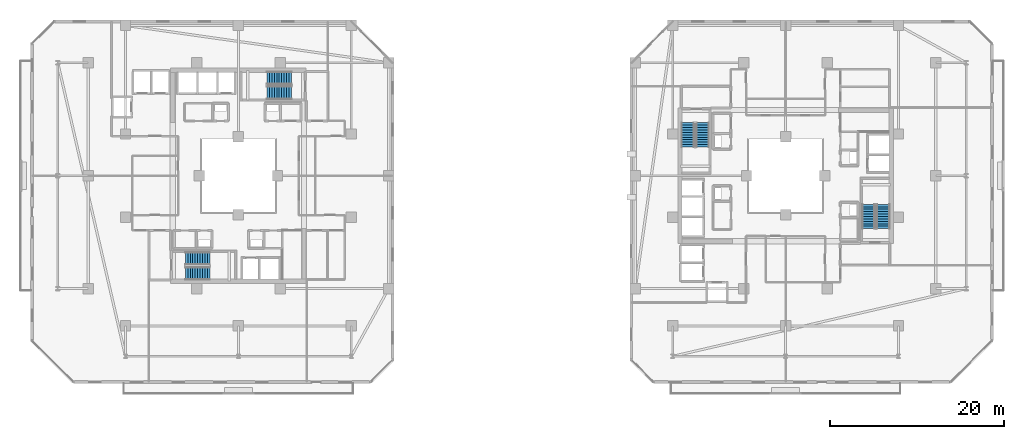
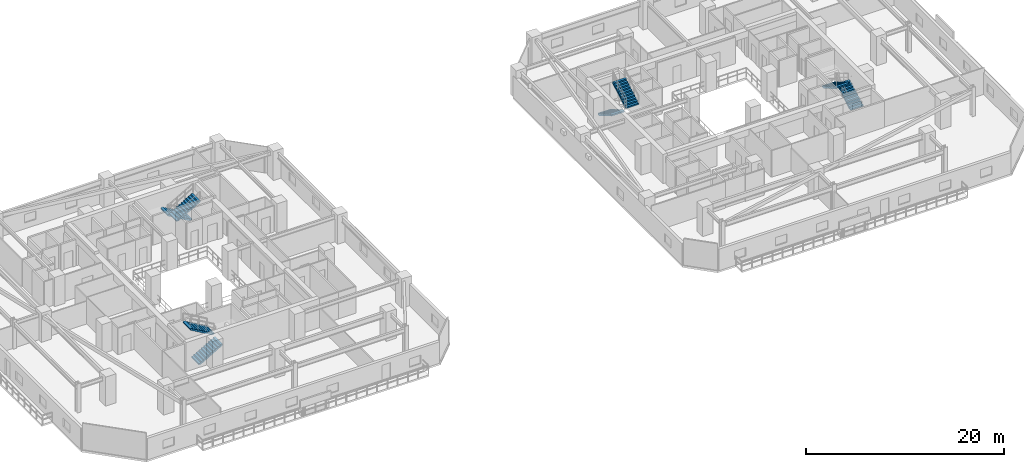
# One storey, part 26 of 34: 8 stair flights, 4 elements without a shape of their own.
"""IFC4 building model written with IfcOpenShell, lengths in metres."""

from ifc_helpers import new_model, si_unit, direction, frame, origin, place, context, subcontext, project, spatial, polyline, outline, extrude, material, type_object, element, aggregate, save


model = new_model("IFC4")

# Units and contexts
model_context = context("Model", 3, precision=1e-05, world=origin(), true_north=direction((0.0, 1.0)))
body_context = subcontext(model_context, "Body", "Model", "MODEL_VIEW")
ifc_project = project(units=[si_unit("LENGTHUNIT", "METRE"), si_unit("AREAUNIT", "SQUARE_METRE"), si_unit("VOLUMEUNIT", "CUBIC_METRE"), si_unit("PLANEANGLEUNIT", "RADIAN"), si_unit("MASSUNIT", "GRAM", prefix="KILO")], contexts=[model_context])

# Site, building, storey
site_placement = place(None, origin())
site = spatial("IfcSite", under=ifc_project, at=site_placement, CompositionType="ELEMENT")
building_placement = place(site_placement, origin())
building = spatial("IfcBuilding", under=site, at=building_placement, Name="Thornwick Lancets Civic Towers", CompositionType="ELEMENT")
storey_placement = place(building_placement, frame((0.0, 0.0, 137.699951171875)))
storey = spatial("IfcBuildingStorey", under=building, at=storey_placement, Name="L36", CompositionType="ELEMENT", Elevation=137.699951171875)

# Stair, stair flights
ifc_material = material(Name="Concrete C40/50", Category="concrete")
stair_type = type_object("IfcStairType", Name="STAIR_DL_3600", PredefinedType="HALF_TURN_STAIR", material=ifc_material)
stair_1_placement = place(storey_placement, origin())
stair_1 = element("IfcStair", 1, at=stair_1_placement, inside=storey, type_object=stair_type, Name="L36 Tower A South Exit Stair ST-A1", PredefinedType="HALF_TURN_STAIR")
stair_flight_type = type_object("IfcStairFlightType", Name="FLIGHT_3600", PredefinedType="STRAIGHT", material=ifc_material)
stair_flight_1_placement = place(storey_placement, frame((19.39990234375, 15.75, 0.0), z_axis=(0.0, 0.0, 1.0), x_axis=(1.0, 0.0, 0.0)))
stair_flight_1 = element("IfcStairFlight", 2, at=stair_flight_1_placement, type_object=stair_flight_type, Name="ST-A1 flight 1", NumberOfRisers=11, NumberOfTreads=10, PredefinedType="STRAIGHT", RiserHeight=0.163636364, TreadLength=0.28, context=body_context, shape_type="SweptSolid", body=[
    extrude(outline(polyline([(0.0, 0.0), (0.0, 0.16357421875), (0.280029296875, 0.16357421875), (0.280029296875, 0.327392578125), (0.56005859375, 0.327392578125), (0.56005859375, 0.490966796875), (0.840087890625, 0.490966796875), (0.840087890625, 0.654541015625), (1.1201171875, 0.654541015625), (1.1201171875, 0.818115234375), (1.39990234375, 0.818115234375), (1.39990234375, 0.98193359375), (1.679931640625, 0.98193359375), (1.679931640625, 1.1455078125), (1.9599609375, 1.1455078125), (1.9599609375, 1.30908203125), (2.239990234375, 1.30908203125), (2.239990234375, 1.47265625), (2.52001953125, 1.47265625), (2.52001953125, 1.636474609375), (2.800048828125, 1.636474609375), (2.800048828125, 1.800048828125), (2.800048828125, 1.462646484375), (0.297119140625, 0.0), (0.0, 0.0)])), frame((0.0, 0.75, 0.0), z_axis=(0.0, -1.0, 0.0), x_axis=(1.0, 0.0, 0.0)), (0.0, 0.0, 1.0), 1.5),
])
stair_flight_2_placement = place(storey_placement, frame((22.199951171875, 17.449951171875, 1.800048828125), z_axis=(0.0, 0.0, 1.0), x_axis=(-1.0, 0.0, 0.0)))
stair_flight_2 = element("IfcStairFlight", 3, at=stair_flight_2_placement, type_object=stair_flight_type, Name="ST-A1 flight 2", NumberOfRisers=11, NumberOfTreads=10, PredefinedType="STRAIGHT", RiserHeight=0.163636364, TreadLength=0.28, context=body_context, shape_type="SweptSolid", body=[
    extrude(outline(polyline([(0.0, 0.0), (0.0, 0.16357421875), (0.280029296875, 0.16357421875), (0.280029296875, 0.327392578125), (0.56005859375, 0.327392578125), (0.56005859375, 0.490966796875), (0.840087890625, 0.490966796875), (0.840087890625, 0.654541015625), (1.1201171875, 0.654541015625), (1.1201171875, 0.818115234375), (1.39990234375, 0.818115234375), (1.39990234375, 0.98193359375), (1.679931640625, 0.98193359375), (1.679931640625, 1.1455078125), (1.9599609375, 1.1455078125), (1.9599609375, 1.30908203125), (2.239990234375, 1.30908203125), (2.239990234375, 1.47265625), (2.52001953125, 1.47265625), (2.52001953125, 1.636474609375), (2.800048828125, 1.636474609375), (2.800048828125, 1.800048828125), (2.800048828125, 1.462646484375), (0.297119140625, 0.0), (0.0, 0.0)])), frame((0.0, 0.75, 0.0), z_axis=(0.0, -1.0, 0.0), x_axis=(1.0, 0.0, 0.0)), (0.0, 0.0, 1.0), 1.5),
])
aggregate(stair_1, [stair_flight_1, stair_flight_2])

stair_2_placement = place(storey_placement, origin())
stair_2 = element("IfcStair", 4, at=stair_2_placement, inside=storey, type_object=stair_type, Name="L36 Tower A North Exit Stair ST-A2", PredefinedType="HALF_TURN_STAIR")
stair_flight_3_placement = place(storey_placement, frame((31.60009765625, 38.25, 0.0), z_axis=(0.0, 0.0, 1.0), x_axis=(-1.0, 0.0, 0.0)))
stair_flight_3 = element("IfcStairFlight", 5, at=stair_flight_3_placement, type_object=stair_flight_type, Name="ST-A2 flight 1", NumberOfRisers=11, NumberOfTreads=10, PredefinedType="STRAIGHT", RiserHeight=0.163636364, TreadLength=0.28, context=body_context, shape_type="SweptSolid", body=[
    extrude(outline(polyline([(0.0, 0.0), (0.0, 0.16357421875), (0.280029296875, 0.16357421875), (0.280029296875, 0.327392578125), (0.56005859375, 0.327392578125), (0.56005859375, 0.490966796875), (0.840087890625, 0.490966796875), (0.840087890625, 0.654541015625), (1.1201171875, 0.654541015625), (1.1201171875, 0.818115234375), (1.39990234375, 0.818115234375), (1.39990234375, 0.98193359375), (1.679931640625, 0.98193359375), (1.679931640625, 1.1455078125), (1.9599609375, 1.1455078125), (1.9599609375, 1.30908203125), (2.239990234375, 1.30908203125), (2.239990234375, 1.47265625), (2.52001953125, 1.47265625), (2.52001953125, 1.636474609375), (2.800048828125, 1.636474609375), (2.800048828125, 1.800048828125), (2.800048828125, 1.462646484375), (0.297119140625, 0.0), (0.0, 0.0)])), frame((0.0, 0.75, 0.0), z_axis=(0.0, -1.0, 0.0), x_axis=(1.0, 0.0, 0.0)), (0.0, 0.0, 1.0), 1.5),
])
stair_flight_4_placement = place(storey_placement, frame((28.800048828125, 36.550048828125, 1.800048828125), z_axis=(0.0, 0.0, 1.0), x_axis=(1.0, 0.0, 0.0)))
stair_flight_4 = element("IfcStairFlight", 6, at=stair_flight_4_placement, type_object=stair_flight_type, Name="ST-A2 flight 2", NumberOfRisers=11, NumberOfTreads=10, PredefinedType="STRAIGHT", RiserHeight=0.163636364, TreadLength=0.28, context=body_context, shape_type="SweptSolid", body=[
    extrude(outline(polyline([(0.0, 0.0), (0.0, 0.16357421875), (0.280029296875, 0.16357421875), (0.280029296875, 0.327392578125), (0.56005859375, 0.327392578125), (0.56005859375, 0.490966796875), (0.840087890625, 0.490966796875), (0.840087890625, 0.654541015625), (1.1201171875, 0.654541015625), (1.1201171875, 0.818115234375), (1.39990234375, 0.818115234375), (1.39990234375, 0.98193359375), (1.679931640625, 0.98193359375), (1.679931640625, 1.1455078125), (1.9599609375, 1.1455078125), (1.9599609375, 1.30908203125), (2.239990234375, 1.30908203125), (2.239990234375, 1.47265625), (2.52001953125, 1.47265625), (2.52001953125, 1.636474609375), (2.800048828125, 1.636474609375), (2.800048828125, 1.800048828125), (2.800048828125, 1.462646484375), (0.297119140625, 0.0), (0.0, 0.0)])), frame((0.0, 0.75, 0.0), z_axis=(0.0, -1.0, 0.0), x_axis=(1.0, 0.0, 0.0)), (0.0, 0.0, 1.0), 1.5),
])
aggregate(stair_2, [stair_flight_3, stair_flight_4])

stair_3_placement = place(storey_placement, origin())
stair_3 = element("IfcStair", 7, at=stair_3_placement, inside=storey, type_object=stair_type, Name="L36 Tower B East Exit Stair ST-B1", PredefinedType="HALF_TURN_STAIR")
stair_flight_5_placement = place(storey_placement, frame((99.75, 20.89990234375, 0.0), z_axis=(0.0, 0.0, 1.0), x_axis=(0.0, 1.0, 0.0)))
stair_flight_5 = element("IfcStairFlight", 8, at=stair_flight_5_placement, type_object=stair_flight_type, Name="ST-B1 flight 1", NumberOfRisers=11, NumberOfTreads=10, PredefinedType="STRAIGHT", RiserHeight=0.163636364, TreadLength=0.28, context=body_context, shape_type="SweptSolid", body=[
    extrude(outline(polyline([(0.0, 0.0), (0.0, 0.16357421875), (0.280029296875, 0.16357421875), (0.280029296875, 0.327392578125), (0.56005859375, 0.327392578125), (0.56005859375, 0.490966796875), (0.840087890625, 0.490966796875), (0.840087890625, 0.654541015625), (1.1201171875, 0.654541015625), (1.1201171875, 0.818115234375), (1.39990234375, 0.818115234375), (1.39990234375, 0.98193359375), (1.679931640625, 0.98193359375), (1.679931640625, 1.1455078125), (1.9599609375, 1.1455078125), (1.9599609375, 1.30908203125), (2.239990234375, 1.30908203125), (2.239990234375, 1.47265625), (2.52001953125, 1.47265625), (2.52001953125, 1.636474609375), (2.800048828125, 1.636474609375), (2.800048828125, 1.800048828125), (2.800048828125, 1.462646484375), (0.297119140625, 0.0), (0.0, 0.0)])), frame((0.0, 0.75, 0.0), z_axis=(0.0, -1.0, 0.0), x_axis=(1.0, 0.0, 0.0)), (0.0, 0.0, 1.0), 1.5),
])
stair_flight_6_placement = place(storey_placement, frame((98.050048828125, 23.699951171875, 1.800048828125), z_axis=(0.0, 0.0, 1.0), x_axis=(0.0, -1.0, 0.0)))
stair_flight_6 = element("IfcStairFlight", 9, at=stair_flight_6_placement, type_object=stair_flight_type, Name="ST-B1 flight 2", NumberOfRisers=11, NumberOfTreads=10, PredefinedType="STRAIGHT", RiserHeight=0.163636364, TreadLength=0.28, context=body_context, shape_type="SweptSolid", body=[
    extrude(outline(polyline([(0.0, 0.0), (0.0, 0.16357421875), (0.280029296875, 0.16357421875), (0.280029296875, 0.327392578125), (0.56005859375, 0.327392578125), (0.56005859375, 0.490966796875), (0.840087890625, 0.490966796875), (0.840087890625, 0.654541015625), (1.1201171875, 0.654541015625), (1.1201171875, 0.818115234375), (1.39990234375, 0.818115234375), (1.39990234375, 0.98193359375), (1.679931640625, 0.98193359375), (1.679931640625, 1.1455078125), (1.9599609375, 1.1455078125), (1.9599609375, 1.30908203125), (2.239990234375, 1.30908203125), (2.239990234375, 1.47265625), (2.52001953125, 1.47265625), (2.52001953125, 1.636474609375), (2.800048828125, 1.636474609375), (2.800048828125, 1.800048828125), (2.800048828125, 1.462646484375), (0.297119140625, 0.0), (0.0, 0.0)])), frame((0.0, 0.75, 0.0), z_axis=(0.0, -1.0, 0.0), x_axis=(1.0, 0.0, 0.0)), (0.0, 0.0, 1.0), 1.5),
])
aggregate(stair_3, [stair_flight_5, stair_flight_6])

stair_4_placement = place(storey_placement, origin())
stair_4 = element("IfcStair", 10, at=stair_4_placement, inside=storey, type_object=stair_type, Name="L36 Tower B West Exit Stair ST-B2", PredefinedType="HALF_TURN_STAIR")
stair_flight_7_placement = place(storey_placement, frame((77.25, 33.10009765625, 0.0), z_axis=(0.0, 0.0, 1.0), x_axis=(0.0, -1.0, 0.0)))
stair_flight_7 = element("IfcStairFlight", 11, at=stair_flight_7_placement, type_object=stair_flight_type, Name="ST-B2 flight 1", NumberOfRisers=11, NumberOfTreads=10, PredefinedType="STRAIGHT", RiserHeight=0.163636364, TreadLength=0.28, context=body_context, shape_type="SweptSolid", body=[
    extrude(outline(polyline([(0.0, 0.0), (0.0, 0.16357421875), (0.280029296875, 0.16357421875), (0.280029296875, 0.327392578125), (0.56005859375, 0.327392578125), (0.56005859375, 0.490966796875), (0.840087890625, 0.490966796875), (0.840087890625, 0.654541015625), (1.1201171875, 0.654541015625), (1.1201171875, 0.818115234375), (1.39990234375, 0.818115234375), (1.39990234375, 0.98193359375), (1.679931640625, 0.98193359375), (1.679931640625, 1.1455078125), (1.9599609375, 1.1455078125), (1.9599609375, 1.30908203125), (2.239990234375, 1.30908203125), (2.239990234375, 1.47265625), (2.52001953125, 1.47265625), (2.52001953125, 1.636474609375), (2.800048828125, 1.636474609375), (2.800048828125, 1.800048828125), (2.800048828125, 1.462646484375), (0.297119140625, 0.0), (0.0, 0.0)])), frame((0.0, 0.75, 0.0), z_axis=(0.0, -1.0, 0.0), x_axis=(1.0, 0.0, 0.0)), (0.0, 0.0, 1.0), 1.5),
])
stair_flight_8_placement = place(storey_placement, frame((78.949951171875, 30.300048828125, 1.800048828125), z_axis=(0.0, 0.0, 1.0), x_axis=(0.0, 1.0, 0.0)))
stair_flight_8 = element("IfcStairFlight", 12, at=stair_flight_8_placement, type_object=stair_flight_type, Name="ST-B2 flight 2", NumberOfRisers=11, NumberOfTreads=10, PredefinedType="STRAIGHT", RiserHeight=0.163636364, TreadLength=0.28, context=body_context, shape_type="SweptSolid", body=[
    extrude(outline(polyline([(0.0, 0.0), (0.0, 0.16357421875), (0.280029296875, 0.16357421875), (0.280029296875, 0.327392578125), (0.56005859375, 0.327392578125), (0.56005859375, 0.490966796875), (0.840087890625, 0.490966796875), (0.840087890625, 0.654541015625), (1.1201171875, 0.654541015625), (1.1201171875, 0.818115234375), (1.39990234375, 0.818115234375), (1.39990234375, 0.98193359375), (1.679931640625, 0.98193359375), (1.679931640625, 1.1455078125), (1.9599609375, 1.1455078125), (1.9599609375, 1.30908203125), (2.239990234375, 1.30908203125), (2.239990234375, 1.47265625), (2.52001953125, 1.47265625), (2.52001953125, 1.636474609375), (2.800048828125, 1.636474609375), (2.800048828125, 1.800048828125), (2.800048828125, 1.462646484375), (0.297119140625, 0.0), (0.0, 0.0)])), frame((0.0, 0.75, 0.0), z_axis=(0.0, -1.0, 0.0), x_axis=(1.0, 0.0, 0.0)), (0.0, 0.0, 1.0), 1.5),
])
aggregate(stair_4, [stair_flight_7, stair_flight_8])

save(model, "model.ifc")
